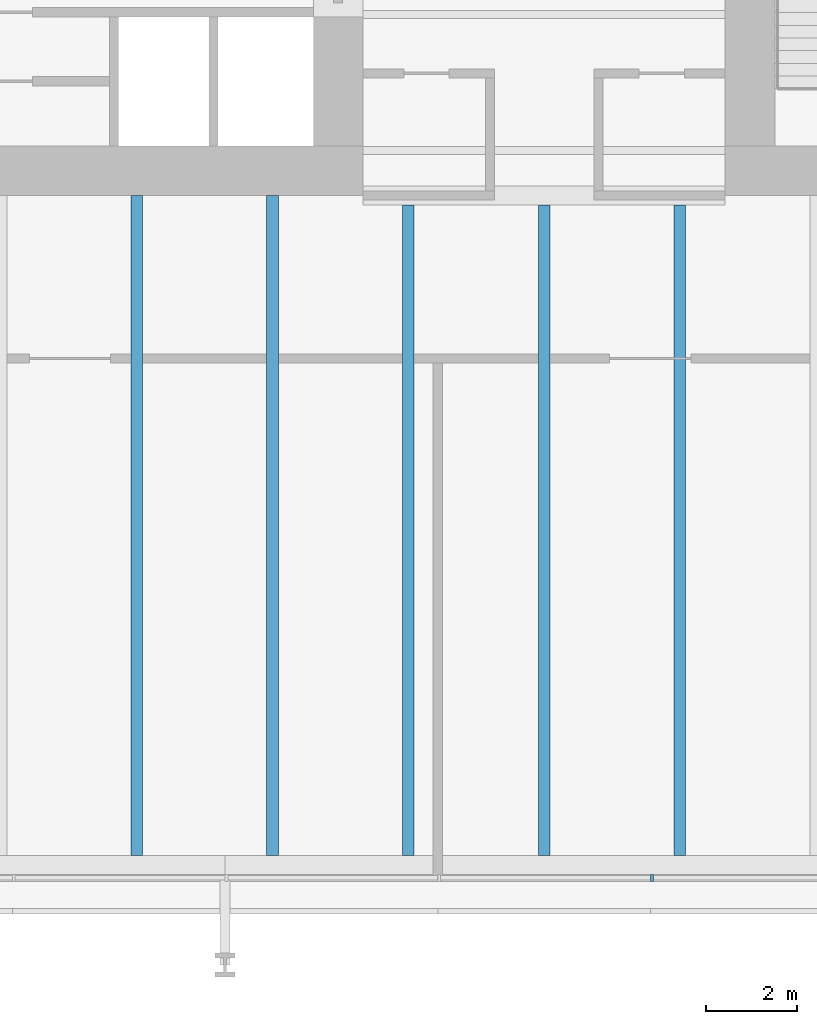
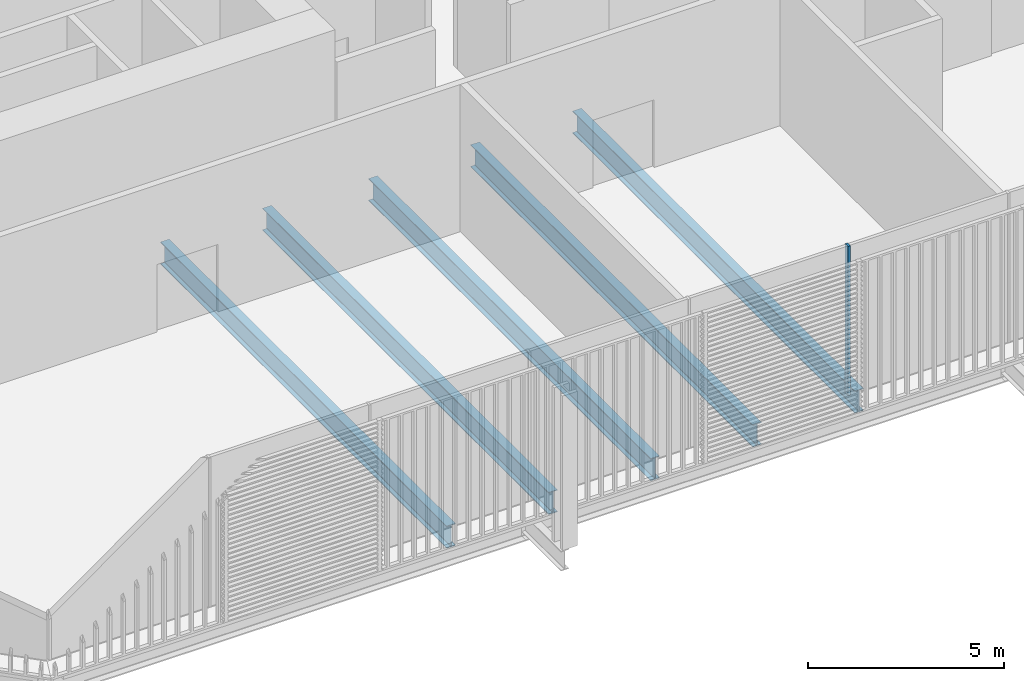
# One storey, part 4 of 22: 5 beams, 1 member, 1 element without a shape of its own.
"""IFC4 building model written with IfcOpenShell, lengths in metres."""

from ifc_helpers import new_model, si_unit, direction, frame, origin, origin_2d, place, context, subcontext, project, spatial, rectangle, i_section, extrude, material, layer, layer_set, material_profile, profile_set, type_object, element, aggregate, save


model = new_model("IFC4")

# Units and contexts
model_context = context("Model", 3, precision=1e-05, world=origin(), true_north=direction((0.0, 1.0)))
body_context = subcontext(model_context, "Body", "Model", "MODEL_VIEW")
ifc_project = project(units=[si_unit("LENGTHUNIT", "METRE"), si_unit("AREAUNIT", "SQUARE_METRE"), si_unit("VOLUMEUNIT", "CUBIC_METRE"), si_unit("PLANEANGLEUNIT", "RADIAN"), si_unit("MASSUNIT", "GRAM", prefix="KILO")], contexts=[model_context])

# Site, building, storey
site_placement = place(None, origin())
site = spatial("IfcSite", under=ifc_project, at=site_placement, CompositionType="ELEMENT")
building_placement = place(site_placement, origin())
building = spatial("IfcBuilding", under=site, at=building_placement, Name="Millrace Tower", CompositionType="ELEMENT")
storey_placement = place(building_placement, frame((0.0, 0.0, 40.10009765625)))
storey = spatial("IfcBuildingStorey", under=building, at=storey_placement, Name="L09", CompositionType="ELEMENT", Elevation=40.10009765625)

# Curtain wall, member
ifc_material_1 = material(Name="Aluminium and glass", Category="aluminium")
ifc_layer = layer(ifc_material_1, 0.14990234375)
ifc_layer_set = layer_set([ifc_layer], Name="Aluminium and glass")
curtain_wall_type = type_object("IfcCurtainWallType", Name="CW-2 data hall insulated curtain wall", PredefinedType="NOTDEFINED", material=ifc_layer_set)
curtain_wall_placement = place(storey_placement, origin())
curtain_wall = element("IfcCurtainWall", 1, at=curtain_wall_placement, inside=storey, type_object=curtain_wall_type, Name="Curtain wall A-F02 L09", PredefinedType="NOTDEFINED")
ifc_material_2 = material(Name="Aluminium", Category="aluminium")
ifc_material_profile_1 = material_profile(ifc_material_2, rectangle(XDim=0.06494140625, YDim=0.14990234375, at=origin_2d()))
ifc_profile_set_1 = profile_set([ifc_material_profile_1], Name="Aluminium")
member_type = type_object("IfcMemberType", Name="CW-2 data hall insulated curtain wall mullion", PredefinedType="MULLION", material=ifc_profile_set_1)
member_placement = place(storey_placement, frame((2.382568359375, -25.074951171875, 0.159912109375), z_axis=(0.0, 0.0, 1.0), x_axis=(1.0, 0.0, 0.0)))
member = element("IfcMember", 2, at=member_placement, type_object=member_type, Name="CW2 mullion A-F02.6", PredefinedType="MULLION", context=body_context, shape_type="SweptSolid", body=[
    extrude(rectangle(XDim=0.06494140625, YDim=0.14990234375, at=origin_2d()), origin(), (0.0, 0.0, 1.0), 4.639892578125),
])
aggregate(curtain_wall, [member])

# Beams
ifc_material_3 = material(Name="Steel ASTM A992 Grade 50", Category="steel")
ifc_material_profile_2 = material_profile(ifc_material_3, i_section(OverallWidth=0.256591796875, OverallDepth=0.693359375, WebThickness=0.014404296875, FlangeThickness=0.023681640625, FilletRadius=0.01513671875, at=origin_2d()))
ifc_profile_set_2 = profile_set([ifc_material_profile_2], Name="Steel ASTM A992 Grade 50")
beam_type = type_object("IfcBeamType", Name="Floor beam W27x114", PredefinedType="JOIST", material=ifc_profile_set_2)
for number, where, z_axis, x_axis, name in (
    (3, (-9.0, -24.578369140625, -0.57177734375), (0.0, 1.0, 0.0), (-1.0, 0.0, 0.0), "BM-A-L09-S1-S045"),
    (4, (-6.0, -24.578369140625, -0.57177734375), (0.0, 1.0, 0.0), (-1.0, 0.0, 0.0), "BM-A-L09-S1-S047"),
):
    element("IfcBeam", number, at=place(storey_placement, frame(where, z_axis=z_axis, x_axis=x_axis)), inside=storey, type_object=beam_type, Name=name, PredefinedType="JOIST", context=body_context, shape_type="SweptSolid", body=[
        extrude(i_section(OverallWidth=0.256591796875, OverallDepth=0.693359375, WebThickness=0.014404296875, FlangeThickness=0.023681640625, FilletRadius=0.01513671875, at=origin_2d()), origin(), (0.0, 0.0, 1.0), 14.578369140625),
    ])
for number, where, z_axis, x_axis, name in (
    (5, (-3.0, -24.578369140625, -0.57177734375), (0.0, 1.0, 0.0), (-1.0, 0.0, 0.0), "BM-A-L09-S1-S049"),
    (6, (0.0, -24.578369140625, -0.57177734375), (0.0, 1.0, 0.0), (-1.0, 0.0, 0.0), "BM-A-L09-S1-S051"),
    (7, (3.0, -24.578369140625, -0.57177734375), (0.0, 1.0, 0.0), (-1.0, 0.0, 0.0), "BM-A-L09-S1-S053"),
):
    element("IfcBeam", number, at=place(storey_placement, frame(where, z_axis=z_axis, x_axis=x_axis)), inside=storey, type_object=beam_type, Name=name, PredefinedType="JOIST", context=body_context, shape_type="SweptSolid", body=[
        extrude(i_section(OverallWidth=0.256591796875, OverallDepth=0.693359375, WebThickness=0.014404296875, FlangeThickness=0.023681640625, FilletRadius=0.01513671875, at=origin_2d()), origin(), (0.0, 0.0, 1.0), 14.3662109375),
    ])

save(model, "model.ifc")
